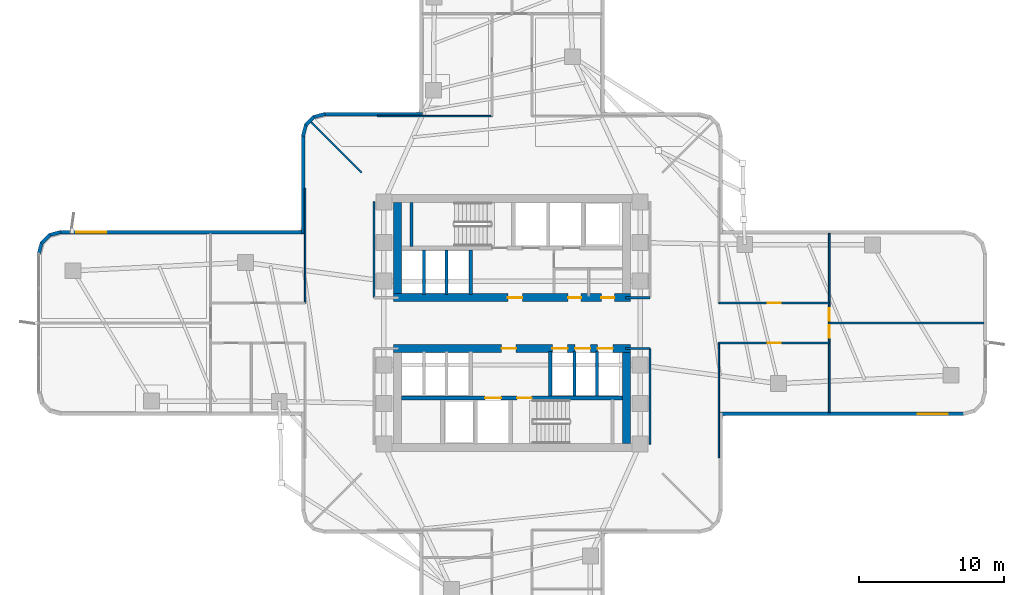
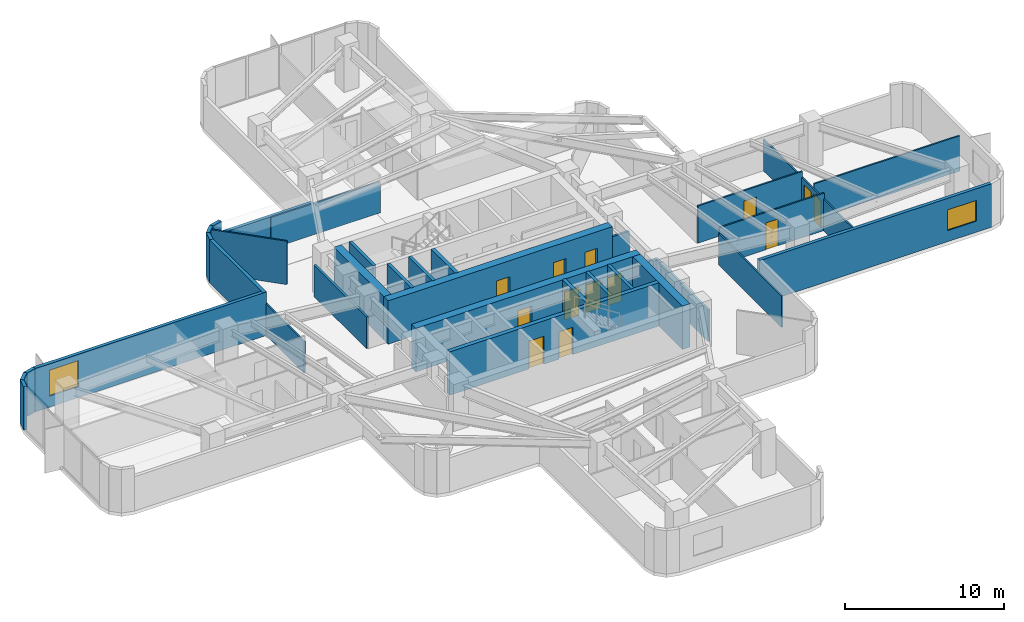
# One storey, part 9 of 14: 34 walls, 13 doors, 2 windows, 15 openings.
"""IFC4 building model written with IfcOpenShell, lengths in metres."""

from ifc_helpers import new_model, si_unit, direction, frame, frame_2d, origin, place, context, subcontext, project, spatial, rectangle, extrude, material, layer, layer_set, type_object, element, fill, save


model = new_model("IFC4")

# Units and contexts
model_context = context("Model", 3, precision=1e-05, world=origin(), true_north=direction((0.0, 1.0)))
body_context = subcontext(model_context, "Body", "Model", "MODEL_VIEW")
ifc_project = project(units=[si_unit("LENGTHUNIT", "METRE"), si_unit("AREAUNIT", "SQUARE_METRE"), si_unit("VOLUMEUNIT", "CUBIC_METRE"), si_unit("PLANEANGLEUNIT", "RADIAN"), si_unit("MASSUNIT", "GRAM", prefix="KILO")], contexts=[model_context])

# Site, building, storey
site_placement = place(None, origin())
site = spatial("IfcSite", under=ifc_project, at=site_placement, CompositionType="ELEMENT")
building_placement = place(site_placement, origin())
building = spatial("IfcBuilding", under=site, at=building_placement, Name="Solmarez Civic Tower", CompositionType="ELEMENT")
storey_placement = place(building_placement, frame((0.0, 0.0, 31.679931640625)))
storey = spatial("IfcBuildingStorey", under=building, at=storey_placement, Name="L07", CompositionType="ELEMENT", Elevation=31.679931640625)

# Wall, openings, doors
ifc_material_1 = material(Name="Concrete C60/75", Category="concrete")
ifc_layer_1 = layer(ifc_material_1, 0.550048828125)
ifc_layer_set_1 = layer_set([ifc_layer_1], Name="Concrete C60/75")
wall_type_1 = type_object("IfcWallType", Name="WALL-CORE-550", PredefinedType="SHEAR", material=ifc_layer_set_1)
wall_1_placement = place(storey_placement, frame((8.169921875, 1.75, 0.0), z_axis=(0.0, 0.0, 1.0), x_axis=(-1.0, 0.0, 0.0)))
wall_1 = element("IfcWall", 1, at=wall_1_placement, inside=storey, type_object=wall_type_1, Name="L07 Split-Core Structural Wall NCW-S-L07", PredefinedType="SHEAR", context=body_context, shape_type="SweptSolid", body=[
    extrude(rectangle(XDim=16.33984375, YDim=0.550048828125, at=frame_2d((8.169921875, 0.0))), origin(), (0.0, 0.0, 1.0), 3.340087890625),
])
opening_1_placement = place(wall_1_placement, frame((7.449951171875, 0.0, 0.0)))
opening_1 = element("IfcOpeningElement", 2, at=opening_1_placement, cuts=wall_1, Name="Opening D-04", PredefinedType="OPENING", context=body_context, shape_type="SweptSolid", body=[
    extrude(rectangle(XDim=1.0, YDim=2.10009765625, at=frame_2d((0.5, 1.050048828125))), frame((0.0, 0.284912109375, 0.0), z_axis=(0.0, -1.0, 0.0), x_axis=(1.0, 0.0, 0.0)), (0.0, 0.0, 1.0), 0.570068359375),
])
opening_2_placement = place(wall_1_placement, frame((3.39990234375, 0.0, 0.0)))
opening_2 = element("IfcOpeningElement", 3, at=opening_2_placement, cuts=wall_1, Name="Opening D-09", PredefinedType="OPENING", context=body_context, shape_type="SweptSolid", body=[
    extrude(rectangle(XDim=0.89990234375, YDim=2.06005859375, at=frame_2d((0.449951171875, 1.030029296875))), frame((0.0, 0.284912109375, 0.0), z_axis=(0.0, -1.0, 0.0), x_axis=(1.0, 0.0, 0.0)), (0.0, 0.0, 1.0), 0.570068359375),
])
opening_3_placement = place(wall_1_placement, frame((1.10009765625, 0.0, 0.0)))
opening_3 = element("IfcOpeningElement", 4, at=opening_3_placement, cuts=wall_1, Name="Opening D-09", PredefinedType="OPENING", context=body_context, shape_type="SweptSolid", body=[
    extrude(rectangle(XDim=0.89990234375, YDim=2.06005859375, at=frame_2d((0.449951171875, 1.030029296875))), frame((0.0, 0.284912109375, 0.0), z_axis=(0.0, -1.0, 0.0), x_axis=(1.0, 0.0, 0.0)), (0.0, 0.0, 1.0), 0.570068359375),
])
ifc_material_2 = material(Name="Steel-Faced Acoustic Fire Door", Category="steel")
door_type_1 = type_object("IfcDoorType", Name="DOOR-FD60-1000", OperationType="NOTDEFINED", PredefinedType="DOOR", material=ifc_material_2)
door_1_placement = place(opening_1_placement, origin())
door_1 = element("IfcDoor", 5, at=door_1_placement, inside=storey, type_object=door_type_1, Name="L07 North Firefighting Lobby Door", OperationType="SINGLE_SWING_RIGHT", OverallHeight=2.10009765625, OverallWidth=1.0, PredefinedType="DOOR", context=body_context, shape_type="SweptSolid", body=[
    extrude(rectangle(XDim=1.0, YDim=2.10009765625, at=frame_2d((0.5, 1.050048828125))), frame((0.0, 0.02490234375, 0.0), z_axis=(0.0, -1.0, 0.0), x_axis=(1.0, 0.0, 0.0)), (0.0, 0.0, 1.0), 0.050048828125),
])
fill(opening_1, door_1)
ifc_material_3 = material(Name="Fire-Rated Service Core Door", Category="wood")
door_type_2 = type_object("IfcDoorType", Name="DOOR-FD60-900", OperationType="NOTDEFINED", PredefinedType="DOOR", material=ifc_material_3)
door_2_placement = place(opening_2_placement, origin())
door_2 = element("IfcDoor", 6, at=door_2_placement, inside=storey, type_object=door_type_2, Name="L07 Core WC Door", OperationType="SINGLE_SWING_LEFT", OverallHeight=2.06005859375, OverallWidth=0.89990234375, PredefinedType="DOOR", context=body_context, shape_type="SweptSolid", body=[
    extrude(rectangle(XDim=0.89990234375, YDim=2.06005859375, at=frame_2d((0.449951171875, 1.030029296875))), frame((0.0, 0.02490234375, 0.0), z_axis=(0.0, -1.0, 0.0), x_axis=(1.0, 0.0, 0.0)), (0.0, 0.0, 1.0), 0.050048828125),
])
fill(opening_2, door_2)
door_3_placement = place(opening_3_placement, origin())
door_3 = element("IfcDoor", 7, at=door_3_placement, inside=storey, type_object=door_type_2, Name="L07 Core CL Door", OperationType="SINGLE_SWING_RIGHT", OverallHeight=2.06005859375, OverallWidth=0.89990234375, PredefinedType="DOOR", context=body_context, shape_type="SweptSolid", body=[
    extrude(rectangle(XDim=0.89990234375, YDim=2.06005859375, at=frame_2d((0.449951171875, 1.030029296875))), frame((0.0, 0.02490234375, 0.0), z_axis=(0.0, -1.0, 0.0), x_axis=(1.0, 0.0, 0.0)), (0.0, 0.0, 1.0), 0.050048828125),
])
fill(opening_3, door_3)

# Wall
wall_2_placement = place(storey_placement, frame((-7.89501953125, 2.02490234375, 0.0), z_axis=(0.0, 0.0, 1.0), x_axis=(0.0, 1.0, 0.0)))
element("IfcWall", 8, at=wall_2_placement, inside=storey, type_object=wall_type_1, Name="L07 Split-Core Structural Wall NCW-W-L07", PredefinedType="SHEAR", context=body_context, shape_type="SweptSolid", body=[
    extrude(rectangle(XDim=6.28515625, YDim=0.550048828125, at=frame_2d((3.142578125, 0.0))), origin(), (0.0, 0.0, 1.0), 3.340087890625),
])

# Wall, openings, doors
wall_3_placement = place(storey_placement, frame((-8.169921875, -1.75, 0.0), z_axis=(0.0, 0.0, 1.0), x_axis=(1.0, 0.0, 0.0)))
wall_3 = element("IfcWall", 9, at=wall_3_placement, inside=storey, type_object=wall_type_1, Name="L07 Split-Core Structural Wall SCW-N-L07", PredefinedType="SHEAR", context=body_context, shape_type="SweptSolid", body=[
    extrude(rectangle(XDim=16.33984375, YDim=0.550048828125, at=frame_2d((8.169921875, 0.0))), origin(), (0.0, 0.0, 1.0), 3.340087890625),
])
opening_4_placement = place(wall_3_placement, frame((7.449951171875, 0.0, 0.0)))
opening_4 = element("IfcOpeningElement", 10, at=opening_4_placement, cuts=wall_3, Name="Opening D-04", PredefinedType="OPENING", context=body_context, shape_type="SweptSolid", body=[
    extrude(rectangle(XDim=1.0, YDim=2.10009765625, at=frame_2d((0.5, 1.050048828125))), frame((0.0, 0.284912109375, 0.0), z_axis=(0.0, -1.0, 0.0), x_axis=(1.0, 0.0, 0.0)), (0.0, 0.0, 1.0), 0.570068359375),
])
opening_5_placement = place(wall_3_placement, frame((10.965087890625, 0.0, 0.0)))
opening_5 = element("IfcOpeningElement", 11, at=opening_5_placement, cuts=wall_3, Name="Opening LD-01", PredefinedType="OPENING", context=body_context, shape_type="SweptSolid", body=[
    extrude(rectangle(XDim=1.050048828125, YDim=2.14990234375, at=frame_2d((0.52490234375, 1.074951171875))), frame((0.0, 0.284912109375, 0.0), z_axis=(0.0, -1.0, 0.0), x_axis=(1.0, 0.0, 0.0)), (0.0, 0.0, 1.0), 0.570068359375),
])
opening_6_placement = place(wall_3_placement, frame((12.52490234375, 0.0, 0.0)))
opening_6 = element("IfcOpeningElement", 12, at=opening_6_placement, cuts=wall_3, Name="Opening LD-01", PredefinedType="OPENING", context=body_context, shape_type="SweptSolid", body=[
    extrude(rectangle(XDim=1.050048828125, YDim=2.14990234375, at=frame_2d((0.52490234375, 1.074951171875))), frame((0.0, 0.284912109375, 0.0), z_axis=(0.0, -1.0, 0.0), x_axis=(1.0, 0.0, 0.0)), (0.0, 0.0, 1.0), 0.570068359375),
])
opening_7_placement = place(wall_3_placement, frame((14.0849609375, 0.0, 0.0)))
opening_7 = element("IfcOpeningElement", 13, at=opening_7_placement, cuts=wall_3, Name="Opening LD-01", PredefinedType="OPENING", context=body_context, shape_type="SweptSolid", body=[
    extrude(rectangle(XDim=1.050048828125, YDim=2.14990234375, at=frame_2d((0.52490234375, 1.074951171875))), frame((0.0, 0.284912109375, 0.0), z_axis=(0.0, -1.0, 0.0), x_axis=(1.0, 0.0, 0.0)), (0.0, 0.0, 1.0), 0.570068359375),
])
door_4_placement = place(opening_4_placement, origin())
door_4 = element("IfcDoor", 14, at=door_4_placement, inside=storey, type_object=door_type_1, Name="L07 South Firefighting Lobby Door", OperationType="SINGLE_SWING_LEFT", OverallHeight=2.10009765625, OverallWidth=1.0, PredefinedType="DOOR", context=body_context, shape_type="SweptSolid", body=[
    extrude(rectangle(XDim=1.0, YDim=2.10009765625, at=frame_2d((0.5, 1.050048828125))), frame((0.0, 0.02490234375, 0.0), z_axis=(0.0, -1.0, 0.0), x_axis=(1.0, 0.0, 0.0)), (0.0, 0.0, 1.0), 0.050048828125),
])
fill(opening_4, door_4)
ifc_material_4 = material(Name="Bronze Passenger Lift Landing Sliding Door", Category="aluminium")
door_type_3 = type_object("IfcDoorType", Name="DOOR-LD-PAX-1050", OperationType="DOUBLE_DOOR_SLIDING", PredefinedType="DOOR", material=ifc_material_4)
door_5_placement = place(opening_5_placement, origin())
door_5 = element("IfcDoor", 15, at=door_5_placement, inside=storey, type_object=door_type_3, Name="L07 Low-Rise Lift Landing Door PL-L1", OperationType="DOUBLE_DOOR_SLIDING", OverallHeight=2.14990234375, OverallWidth=1.050048828125, PredefinedType="DOOR", context=body_context, shape_type="SweptSolid", body=[
    extrude(rectangle(XDim=1.050048828125, YDim=2.14990234375, at=frame_2d((0.52490234375, 1.074951171875))), frame((0.0, 0.02490234375, 0.0), z_axis=(0.0, -1.0, 0.0), x_axis=(1.0, 0.0, 0.0)), (0.0, 0.0, 1.0), 0.050048828125),
])
fill(opening_5, door_5)
door_6_placement = place(opening_6_placement, origin())
door_6 = element("IfcDoor", 16, at=door_6_placement, inside=storey, type_object=door_type_3, Name="L07 Low-Rise Lift Landing Door PL-L2", OperationType="DOUBLE_DOOR_SLIDING", OverallHeight=2.14990234375, OverallWidth=1.050048828125, PredefinedType="DOOR", context=body_context, shape_type="SweptSolid", body=[
    extrude(rectangle(XDim=1.050048828125, YDim=2.14990234375, at=frame_2d((0.52490234375, 1.074951171875))), frame((0.0, 0.02490234375, 0.0), z_axis=(0.0, -1.0, 0.0), x_axis=(1.0, 0.0, 0.0)), (0.0, 0.0, 1.0), 0.050048828125),
])
fill(opening_6, door_6)
door_7_placement = place(opening_7_placement, origin())
door_7 = element("IfcDoor", 17, at=door_7_placement, inside=storey, type_object=door_type_3, Name="L07 Low-Rise Lift Landing Door PL-L3", OperationType="DOUBLE_DOOR_SLIDING", OverallHeight=2.14990234375, OverallWidth=1.050048828125, PredefinedType="DOOR", context=body_context, shape_type="SweptSolid", body=[
    extrude(rectangle(XDim=1.050048828125, YDim=2.14990234375, at=frame_2d((0.52490234375, 1.074951171875))), frame((0.0, 0.02490234375, 0.0), z_axis=(0.0, -1.0, 0.0), x_axis=(1.0, 0.0, 0.0)), (0.0, 0.0, 1.0), 0.050048828125),
])
fill(opening_7, door_7)

# Walls
wall_4_placement = place(storey_placement, frame((7.89501953125, -2.02490234375, 0.0), z_axis=(0.0, 0.0, 1.0), x_axis=(0.0, -1.0, 0.0)))
element("IfcWall", 18, at=wall_4_placement, inside=storey, type_object=wall_type_1, Name="L07 Split-Core Structural Wall SCW-E-L07", PredefinedType="SHEAR", context=body_context, shape_type="SweptSolid", body=[
    extrude(rectangle(XDim=6.28515625, YDim=0.550048828125, at=frame_2d((3.142578125, 0.0))), origin(), (0.0, 0.0, 1.0), 3.340087890625),
])
ifc_material_5 = material(Name="Precast concrete C40/50", Category="concrete")
ifc_layer_2 = layer(ifc_material_5, 0.239990234375)
ifc_layer_set_2 = layer_set([ifc_layer_2], Name="Precast concrete C40/50")
wall_type_2 = type_object("IfcWallType", Name="WALL-EXT-240", PredefinedType="SOLIDWALL", material=ifc_layer_set_2)
wall_5_placement = place(storey_placement, frame((-32.68603515625, 4.760009765625, 0.0), z_axis=(0.0, 0.0, 1.0), x_axis=(0.257937227116, 0.966161677396, 0.0)))
element("IfcWall", 19, at=wall_5_placement, inside=storey, type_object=wall_type_2, Name="L07 Exterior Precast Wall 7", PredefinedType="SOLIDWALL", context=body_context, shape_type="SweptSolid", body=[
    extrude(rectangle(XDim=0.830078125, YDim=0.239990234375, at=frame_2d((0.4150390625, 0.0))), origin(), (0.0, 0.0, 1.0), 3.340087890625),
])
wall_6_placement = place(storey_placement, frame((-32.49609375, 5.52001953125, 0.0), z_axis=(0.0, 0.0, 1.0), x_axis=(0.707256607812, 0.706956922808, 0.0)))
element("IfcWall", 20, at=wall_6_placement, inside=storey, type_object=wall_type_2, Name="L07 Exterior Precast Wall 8", PredefinedType="SOLIDWALL", context=body_context, shape_type="SweptSolid", body=[
    extrude(rectangle(XDim=0.814697265625, YDim=0.239990234375, at=frame_2d((0.4072265625, 0.0))), origin(), (0.0, 0.0, 1.0), 3.340087890625),
])
wall_7_placement = place(storey_placement, frame((-31.9619140625, 6.072021484375, 0.0), z_axis=(0.0, 0.0, 1.0), x_axis=(0.966234939601, 0.25766265056, 0.0)))
element("IfcWall", 21, at=wall_7_placement, inside=storey, type_object=wall_type_2, Name="L07 Exterior Precast Wall 9", PredefinedType="SOLIDWALL", context=body_context, shape_type="SweptSolid", body=[
    extrude(rectangle(XDim=0.830078125, YDim=0.239990234375, at=frame_2d((0.4150390625, 0.0))), origin(), (0.0, 0.0, 1.0), 3.340087890625),
])

# Wall, opening, window
wall_8_placement = place(storey_placement, frame((-31.208984375, 6.280029296875, 0.0), z_axis=(0.0, 0.0, 1.0), x_axis=(1.0, 0.0, 0.0)))
wall_8 = element("IfcWall", 22, at=wall_8_placement, inside=storey, type_object=wall_type_2, Name="L07 Exterior Precast Wall 10", PredefinedType="SOLIDWALL", context=body_context, shape_type="SweptSolid", body=[
    extrude(rectangle(XDim=16.875, YDim=0.239990234375, at=frame_2d((8.4375, 0.0))), origin(), (0.0, 0.0, 1.0), 3.340087890625),
])
opening_8_placement = place(wall_8_placement, frame((1.10009765625, 0.0, 0.85009765625)))
opening_8 = element("IfcOpeningElement", 23, at=opening_8_placement, cuts=wall_8, Name="Opening W-03", PredefinedType="OPENING", context=body_context, shape_type="SweptSolid", body=[
    extrude(rectangle(XDim=2.10009765625, YDim=2.0, at=frame_2d((1.050048828125, 1.0))), frame((0.0, 0.1298828125, 0.0), z_axis=(0.0, -1.0, 0.0), x_axis=(1.0, 0.0, 0.0)), (0.0, 0.0, 1.0), 0.260009765625),
])
ifc_material_6 = material(Name="Solar Control Bronze-Tinted Insulating Glass", Category="glass")
window_type_1 = type_object("IfcWindowType", Name="WIN-2100X2000", PartitioningType="SINGLE_PANEL", PredefinedType="WINDOW", material=ifc_material_6)
window_1_placement = place(opening_8_placement, origin())
window_1 = element("IfcWindow", 24, at=window_1_placement, inside=storey, type_object=window_type_1, Name="L07 Exterior Facade Window 10", OverallHeight=2.0, OverallWidth=2.10009765625, PartitioningType="SINGLE_PANEL", PredefinedType="WINDOW", context=body_context, shape_type="SweptSolid", body=[
    extrude(rectangle(XDim=2.10009765625, YDim=2.0, at=frame_2d((1.050048828125, 1.0))), frame((0.0, 0.030029296875, 0.0), z_axis=(0.0, -1.0, 0.0), x_axis=(1.0, 0.0, 0.0)), (0.0, 0.0, 1.0), 0.06005859375),
])
fill(opening_8, window_1)

# Walls
wall_9_placement = place(storey_placement, frame((-14.429931640625, 6.18408203125, 0.0), z_axis=(0.0, 0.0, 1.0), x_axis=(0.0, 1.0, 0.0)))
element("IfcWall", 25, at=wall_9_placement, inside=storey, type_object=wall_type_2, Name="L07 Exterior Precast Wall 13", PredefinedType="SOLIDWALL", context=body_context, shape_type="SweptSolid", body=[
    extrude(rectangle(XDim=6.77490234375, YDim=0.239990234375, at=frame_2d((3.387451171875, 0.0))), origin(), (0.0, 0.0, 1.0), 3.340087890625),
])
wall_10_placement = place(storey_placement, frame((-14.43603515625, 12.909912109375, 0.0), z_axis=(0.0, 0.0, 1.0), x_axis=(0.257937227116, 0.966161677396, 0.0)))
element("IfcWall", 26, at=wall_10_placement, inside=storey, type_object=wall_type_2, Name="L07 Exterior Precast Wall 14", PredefinedType="SOLIDWALL", context=body_context, shape_type="SweptSolid", body=[
    extrude(rectangle(XDim=0.830078125, YDim=0.239990234375, at=frame_2d((0.4150390625, 0.0))), origin(), (0.0, 0.0, 1.0), 3.340087890625),
])
wall_11_placement = place(storey_placement, frame((-14.24609375, 13.669921875, 0.0), z_axis=(0.0, 0.0, 1.0), x_axis=(0.707106781187, 0.707106781187, 0.0)))
element("IfcWall", 27, at=wall_11_placement, inside=storey, type_object=wall_type_2, Name="L07 Exterior Precast Wall 15", PredefinedType="SOLIDWALL", context=body_context, shape_type="SweptSolid", body=[
    extrude(rectangle(XDim=0.81494140625, YDim=0.239990234375, at=frame_2d((0.407470703125, 0.0))), origin(), (0.0, 0.0, 1.0), 3.340087890625),
])
wall_12_placement = place(storey_placement, frame((-13.7119140625, 14.221923828125, 0.0), z_axis=(0.0, 0.0, 1.0), x_axis=(0.966161677396, 0.257937227116, 0.0)))
element("IfcWall", 28, at=wall_12_placement, inside=storey, type_object=wall_type_2, Name="L07 Exterior Precast Wall 16", PredefinedType="SOLIDWALL", context=body_context, shape_type="SweptSolid", body=[
    extrude(rectangle(XDim=0.830078125, YDim=0.239990234375, at=frame_2d((0.4150390625, 0.0))), origin(), (0.0, 0.0, 1.0), 3.340087890625),
])
wall_13_placement = place(storey_placement, frame((-12.958984375, 14.429931640625, 0.0), z_axis=(0.0, 0.0, 1.0), x_axis=(1.0, 0.0, 0.0)))
element("IfcWall", 29, at=wall_13_placement, inside=storey, type_object=wall_type_2, Name="L07 Exterior Precast Wall 17", PredefinedType="SOLIDWALL", context=body_context, shape_type="SweptSolid", body=[
    extrude(rectangle(XDim=6.77490234375, YDim=0.239990234375, at=frame_2d((3.387451171875, 0.0))), origin(), (0.0, 0.0, 1.0), 2.421142578125),
])

# Wall, opening, window
wall_14_placement = place(storey_placement, frame((31.208984375, -6.280029296875, 0.0), z_axis=(0.0, 0.0, 1.0), x_axis=(-1.0, 0.0, 0.0)))
wall_14 = element("IfcWall", 30, at=wall_14_placement, inside=storey, type_object=wall_type_2, Name="L07 Exterior Precast Wall 46", PredefinedType="SOLIDWALL", context=body_context, shape_type="SweptSolid", body=[
    extrude(rectangle(XDim=16.875, YDim=0.239990234375, at=frame_2d((8.4375, 0.0))), origin(), (0.0, 0.0, 1.0), 3.340087890625),
])
opening_9_placement = place(wall_14_placement, frame((1.10009765625, 0.0, 0.85009765625)))
opening_9 = element("IfcOpeningElement", 31, at=opening_9_placement, cuts=wall_14, Name="Opening W-11", PredefinedType="OPENING", context=body_context, shape_type="SweptSolid", body=[
    extrude(rectangle(XDim=2.10009765625, YDim=1.60009765625, at=frame_2d((1.050048828125, 0.800048828125))), frame((0.0, 0.1298828125, 0.0), z_axis=(0.0, -1.0, 0.0), x_axis=(1.0, 0.0, 0.0)), (0.0, 0.0, 1.0), 0.260009765625),
])
window_type_2 = type_object("IfcWindowType", Name="WIN-2100X1600", PartitioningType="SINGLE_PANEL", PredefinedType="WINDOW", material=ifc_material_6)
window_2_placement = place(opening_9_placement, origin())
window_2 = element("IfcWindow", 32, at=window_2_placement, inside=storey, type_object=window_type_2, Name="L07 Exterior Facade Window 46", OverallHeight=1.60009765625, OverallWidth=2.10009765625, PartitioningType="SINGLE_PANEL", PredefinedType="WINDOW", context=body_context, shape_type="SweptSolid", body=[
    extrude(rectangle(XDim=2.10009765625, YDim=1.60009765625, at=frame_2d((1.050048828125, 0.800048828125))), frame((0.0, 0.030029296875, 0.0), z_axis=(0.0, -1.0, 0.0), x_axis=(1.0, 0.0, 0.0)), (0.0, 0.0, 1.0), 0.06005859375),
])
fill(opening_9, window_2)

# Walls
ifc_material_7 = material(Name="Gypsum Board Acoustic Steel-Stud Partition", Category="steel")
ifc_layer_3 = layer(ifc_material_7, 0.14990234375)
ifc_layer_set_3 = layer_set([ifc_layer_3], Name="Gypsum Board Acoustic Steel-Stud Partition")
wall_type_3 = type_object("IfcWallType", Name="WALL-INT-FIRE-150", PredefinedType="PARTITIONING", material=ifc_layer_set_3)
wall_15_placement = place(storey_placement, frame((-9.52001953125, 1.75, 0.0), z_axis=(0.0, 0.0, 1.0), x_axis=(0.0, 1.0, 0.0)))
element("IfcWall", 33, at=wall_15_placement, inside=storey, type_object=wall_type_3, Name="L07 Interior Partition CHW-L07-WN1", PredefinedType="PARTITIONING", context=body_context, shape_type="SweptSolid", body=[
    extrude(rectangle(XDim=6.6298828125, YDim=0.14990234375, at=frame_2d((3.31494140625, 0.0))), origin(), (0.0, 0.0, 1.0), 2.421142578125),
])
wall_16_placement = place(storey_placement, frame((7.85009765625, 1.75, 0.0), z_axis=(0.0, 0.0, 1.0), x_axis=(1.0, 0.0, 0.0)))
element("IfcWall", 34, at=wall_16_placement, inside=storey, type_object=wall_type_3, Name="L07 Interior Partition CHW-L07-EN3", PredefinedType="PARTITIONING", context=body_context, shape_type="SweptSolid", body=[
    extrude(rectangle(XDim=1.669921875, YDim=0.14990234375, at=frame_2d((0.8349609375, 0.0))), origin(), (0.0, 0.0, 1.0), 2.405029296875),
])
wall_17_placement = place(storey_placement, frame((9.52001953125, -8.3798828125, 0.0), z_axis=(0.0, 0.0, 1.0), x_axis=(0.0, 1.0, 0.0)))
element("IfcWall", 35, at=wall_17_placement, inside=storey, type_object=wall_type_3, Name="L07 Interior Partition CHW-L07-ES1", PredefinedType="PARTITIONING", context=body_context, shape_type="SweptSolid", body=[
    extrude(rectangle(XDim=6.6298828125, YDim=0.14990234375, at=frame_2d((3.31494140625, 0.0))), origin(), (0.0, 0.0, 1.0), 2.421142578125),
])
wall_18_placement = place(storey_placement, frame((7.85009765625, -1.75, 0.0), z_axis=(0.0, 0.0, 1.0), x_axis=(1.0, 0.0, 0.0)))
element("IfcWall", 36, at=wall_18_placement, inside=storey, type_object=wall_type_3, Name="L07 Interior Partition CHW-L07-ES3", PredefinedType="PARTITIONING", context=body_context, shape_type="SweptSolid", body=[
    extrude(rectangle(XDim=1.669921875, YDim=0.14990234375, at=frame_2d((0.8349609375, 0.0))), origin(), (0.0, 0.0, 1.0), 2.405029296875),
])
ifc_layer_4 = layer(ifc_material_7, 0.110107421875)
ifc_layer_set_4 = layer_set([ifc_layer_4], Name="Gypsum Board Acoustic Steel-Stud Partition")
wall_type_4 = type_object("IfcWallType", Name="WALL-INT-PART-110", PredefinedType="PARTITIONING", material=ifc_layer_set_4)
wall_19_placement = place(storey_placement, frame((-10.3798828125, 10.3798828125, 0.0), z_axis=(0.0, 0.0, 1.0), x_axis=(-0.707106781187, 0.707106781187, 0.0)))
element("IfcWall", 37, at=wall_19_placement, inside=storey, type_object=wall_type_4, Name="L07 Interior Partition PT-L07-QDIV-2", PredefinedType="PARTITIONING", context=body_context, shape_type="SweptSolid", body=[
    extrude(rectangle(XDim=4.975341796875, YDim=0.110107421875, at=frame_2d((2.48779296875, 0.0))), origin(), (0.0, 0.0, 1.0), 3.340087890625),
])
wall_20_placement = place(storey_placement, frame((14.2900390625, -9.320068359375, 0.0), z_axis=(0.0, 0.0, 1.0), x_axis=(0.0, 1.0, 0.0)))
element("IfcWall", 38, at=wall_20_placement, inside=storey, type_object=wall_type_4, Name="L07 Interior Partition PT-L07-E-EFR", PredefinedType="PARTITIONING", context=body_context, shape_type="SweptSolid", body=[
    extrude(rectangle(XDim=7.949951171875, YDim=0.110107421875, at=frame_2d((3.97509765625, 0.0))), origin(), (0.0, 0.0, 1.0), 2.421142578125),
])

# Wall, opening, door
wall_21_placement = place(storey_placement, frame((21.909912109375, 1.3798828125, 0.0), z_axis=(0.0, 0.0, 1.0), x_axis=(-1.0, 0.0, 0.0)))
wall_21 = element("IfcWall", 39, at=wall_21_placement, inside=storey, type_object=wall_type_4, Name="L07 Interior Partition PT-L07-E-SL", PredefinedType="PARTITIONING", context=body_context, shape_type="SweptSolid", body=[
    extrude(rectangle(XDim=7.619873046875, YDim=0.110107421875, at=frame_2d((3.81005859375, 0.0))), origin(), (0.0, 0.0, 1.0), 2.869140625),
])
opening_10_placement = place(wall_21_placement, frame((3.360107421875, 0.0, 0.0)))
opening_10 = element("IfcOpeningElement", 40, at=opening_10_placement, cuts=wall_21, Name="Opening D-08", PredefinedType="OPENING", context=body_context, shape_type="SweptSolid", body=[
    extrude(rectangle(XDim=0.89990234375, YDim=2.06005859375, at=frame_2d((0.449951171875, 1.030029296875))), frame((0.0, 0.06494140625, 0.0), z_axis=(0.0, -1.0, 0.0), x_axis=(1.0, 0.0, 0.0)), (0.0, 0.0, 1.0), 0.130126953125),
])
ifc_material_8 = material(Name="Solid-Core Timber Office Door", Category="wood")
door_type_4 = type_object("IfcDoorType", Name="DOOR-INT-900", OperationType="NOTDEFINED", PredefinedType="DOOR", material=ifc_material_8)
door_8_placement = place(opening_10_placement, origin())
door_8 = element("IfcDoor", 41, at=door_8_placement, inside=storey, type_object=door_type_4, Name="L07 Ministry Open Workspace East Door", OperationType="SINGLE_SWING_LEFT", OverallHeight=2.06005859375, OverallWidth=0.89990234375, PredefinedType="DOOR", context=body_context, shape_type="SweptSolid", body=[
    extrude(rectangle(XDim=0.89990234375, YDim=2.06005859375, at=frame_2d((0.449951171875, 1.030029296875))), frame((0.0, 0.02490234375, 0.0), z_axis=(0.0, -1.0, 0.0), x_axis=(1.0, 0.0, 0.0)), (0.0, 0.0, 1.0), 0.050048828125),
])
fill(opening_10, door_8)

wall_22_placement = place(storey_placement, frame((14.2900390625, -1.3798828125, 0.0), z_axis=(0.0, 0.0, 1.0), x_axis=(1.0, 0.0, 0.0)))
wall_22 = element("IfcWall", 42, at=wall_22_placement, inside=storey, type_object=wall_type_4, Name="L07 Interior Partition PT-L07-E-SR", PredefinedType="PARTITIONING", context=body_context, shape_type="SweptSolid", body=[
    extrude(rectangle(XDim=7.619873046875, YDim=0.110107421875, at=frame_2d((3.81005859375, 0.0))), origin(), (0.0, 0.0, 1.0), 2.869140625),
])
opening_11_placement = place(wall_22_placement, frame((3.360107421875, 0.0, 0.0)))
opening_11 = element("IfcOpeningElement", 43, at=opening_11_placement, cuts=wall_22, Name="Opening D-08", PredefinedType="OPENING", context=body_context, shape_type="SweptSolid", body=[
    extrude(rectangle(XDim=0.89990234375, YDim=2.06005859375, at=frame_2d((0.449951171875, 1.030029296875))), frame((0.0, 0.06494140625, 0.0), z_axis=(0.0, -1.0, 0.0), x_axis=(1.0, 0.0, 0.0)), (0.0, 0.0, 1.0), 0.130126953125),
])
door_9_placement = place(opening_11_placement, origin())
door_9 = element("IfcDoor", 44, at=door_9_placement, inside=storey, type_object=door_type_4, Name="L07 Directorate Office East Door", OperationType="SINGLE_SWING_RIGHT", OverallHeight=2.06005859375, OverallWidth=0.89990234375, PredefinedType="DOOR", context=body_context, shape_type="SweptSolid", body=[
    extrude(rectangle(XDim=0.89990234375, YDim=2.06005859375, at=frame_2d((0.449951171875, 1.030029296875))), frame((0.0, 0.02490234375, 0.0), z_axis=(0.0, -1.0, 0.0), x_axis=(1.0, 0.0, 0.0)), (0.0, 0.0, 1.0), 0.050048828125),
])
fill(opening_11, door_9)

# Wall
wall_23_placement = place(storey_placement, frame((21.969970703125, 0.0, 0.0), z_axis=(0.0, 0.0, 1.0), x_axis=(1.0, 0.0, 0.0)))
element("IfcWall", 45, at=wall_23_placement, inside=storey, type_object=wall_type_4, Name="L07 Interior Partition PT-L07-E-TM", PredefinedType="PARTITIONING", context=body_context, shape_type="SweptSolid", body=[
    extrude(rectangle(XDim=10.625, YDim=0.110107421875, at=frame_2d((5.3125, 0.0))), origin(), (0.0, 0.0, 1.0), 2.719970703125),
])

# Wall, openings, doors
wall_24_placement = place(storey_placement, frame((21.909912109375, 6.195068359375, 0.0), z_axis=(0.0, 0.0, 1.0), x_axis=(0.0, -1.0, 0.0)))
wall_24 = element("IfcWall", 46, at=wall_24_placement, inside=storey, type_object=wall_type_4, Name="L07 Interior Partition PT-L07-E-END", PredefinedType="PARTITIONING", context=body_context, shape_type="SweptSolid", body=[
    extrude(rectangle(XDim=12.39013671875, YDim=0.110107421875, at=frame_2d((6.195068359375, 0.0))), origin(), (0.0, 0.0, 1.0), 2.421142578125),
])
opening_12_placement = place(wall_24_placement, frame((6.364990234375, 0.0, 0.0)))
opening_12 = element("IfcOpeningElement", 47, at=opening_12_placement, cuts=wall_24, Name="Opening D-14", PredefinedType="OPENING", context=body_context, shape_type="SweptSolid", body=[
    extrude(rectangle(XDim=0.860107421875, YDim=2.0400390625, at=frame_2d((0.43017578125, 1.02001953125))), frame((0.0, 0.06494140625, 0.0), z_axis=(0.0, -1.0, 0.0), x_axis=(1.0, 0.0, 0.0)), (0.0, 0.0, 1.0), 0.130126953125),
])
opening_13_placement = place(wall_24_placement, frame((5.1650390625, 0.0, 0.0)))
opening_13 = element("IfcOpeningElement", 48, at=opening_13_placement, cuts=wall_24, Name="Opening D-14", PredefinedType="OPENING", context=body_context, shape_type="SweptSolid", body=[
    extrude(rectangle(XDim=0.860107421875, YDim=2.0400390625, at=frame_2d((0.43017578125, 1.02001953125))), frame((0.0, 0.06494140625, 0.0), z_axis=(0.0, -1.0, 0.0), x_axis=(1.0, 0.0, 0.0)), (0.0, 0.0, 1.0), 0.130126953125),
])
ifc_material_9 = material(Name="Timber Storage and Pantry Door", Category="wood")
door_type_5 = type_object("IfcDoorType", Name="DOOR-INT-850", OperationType="NOTDEFINED", PredefinedType="DOOR", material=ifc_material_9)
door_10_placement = place(opening_12_placement, origin())
door_10 = element("IfcDoor", 49, at=door_10_placement, inside=storey, type_object=door_type_5, Name="L07 Staff Pantry Sixth East Door", OperationType="SINGLE_SWING_RIGHT", OverallHeight=2.0400390625, OverallWidth=0.860107421875, PredefinedType="DOOR", context=body_context, shape_type="SweptSolid", body=[
    extrude(rectangle(XDim=0.860107421875, YDim=2.0400390625, at=frame_2d((0.43017578125, 1.02001953125))), frame((0.0, 0.02490234375, 0.0), z_axis=(0.0, -1.0, 0.0), x_axis=(1.0, 0.0, 0.0)), (0.0, 0.0, 1.0), 0.050048828125),
])
fill(opening_12, door_10)
door_11_placement = place(opening_13_placement, origin())
door_11 = element("IfcDoor", 50, at=door_11_placement, inside=storey, type_object=door_type_5, Name="L07 Policy Boardroom Fifth East Door", OperationType="SINGLE_SWING_LEFT", OverallHeight=2.0400390625, OverallWidth=0.860107421875, PredefinedType="DOOR", context=body_context, shape_type="SweptSolid", body=[
    extrude(rectangle(XDim=0.860107421875, YDim=2.0400390625, at=frame_2d((0.43017578125, 1.02001953125))), frame((0.0, 0.02490234375, 0.0), z_axis=(0.0, -1.0, 0.0), x_axis=(1.0, 0.0, 0.0)), (0.0, 0.0, 1.0), 0.050048828125),
])
fill(opening_13, door_11)

# Walls
for number, where, z_axis, x_axis, name in (
    (51, (-1.3701171875, 14.2900390625, 0.0), (0.0, 0.0, 1.0), (-1.0, 0.0, 0.0), "L07 Interior Partition PT-L07-N-EFL"),
    (52, (-14.2900390625, 9.320068359375, 0.0), (0.0, 0.0, 1.0), (0.0, -1.0, 0.0), "L07 Interior Partition PT-L07-W-EFR"),
):
    element("IfcWall", number, at=place(storey_placement, frame(where, z_axis=z_axis, x_axis=x_axis)), inside=storey, type_object=wall_type_4, Name=name, PredefinedType="PARTITIONING", context=body_context, shape_type="SweptSolid", body=[
        extrude(rectangle(XDim=7.949951171875, YDim=0.110107421875, at=frame_2d((3.97509765625, 0.0))), origin(), (0.0, 0.0, 1.0), 2.421142578125),
    ])

# Wall, openings, doors
ifc_material_10 = material(Name="Concrete C50/60", Category="concrete")
ifc_layer_5 = layer(ifc_material_10, 0.300048828125)
ifc_layer_set_5 = layer_set([ifc_layer_5], Name="Concrete C50/60")
wall_type_5 = type_object("IfcWallType", Name="WALL-STR-300", PredefinedType="SOLIDWALL", material=ifc_layer_set_5)
wall_25_placement = place(storey_placement, frame((-7.6201171875, -5.179931640625, 0.0), z_axis=(0.0, 0.0, 1.0), x_axis=(1.0, 0.0, 0.0)))
wall_25 = element("IfcWall", 53, at=wall_25_placement, inside=storey, type_object=wall_type_5, Name="L07 Split-Core Structural Wall SCW-M-L07", PredefinedType="SOLIDWALL", context=body_context, shape_type="SweptSolid", body=[
    extrude(rectangle(XDim=15.240234375, YDim=0.300048828125, at=frame_2d((7.6201171875, 0.0))), origin(), (0.0, 0.0, 1.0), 3.340087890625),
])
opening_14_placement = place(wall_25_placement, frame((5.77001953125, 0.0, 0.0)))
opening_14 = element("IfcOpeningElement", 54, at=opening_14_placement, cuts=wall_25, Name="Opening LD-02", PredefinedType="OPENING", context=body_context, shape_type="SweptSolid", body=[
    extrude(rectangle(XDim=1.10009765625, YDim=2.14990234375, at=frame_2d((0.550048828125, 1.074951171875))), frame((0.0, 0.159912109375, 0.0), z_axis=(0.0, -1.0, 0.0), x_axis=(1.0, 0.0, 0.0)), (0.0, 0.0, 1.0), 0.320068359375),
])
opening_15_placement = place(wall_25_placement, frame((7.969970703125, 0.0, 0.0)))
opening_15 = element("IfcOpeningElement", 55, at=opening_15_placement, cuts=wall_25, Name="Opening D-05", PredefinedType="OPENING", context=body_context, shape_type="SweptSolid", body=[
    extrude(rectangle(XDim=1.0, YDim=2.10009765625, at=frame_2d((0.5, 1.050048828125))), frame((0.0, 0.159912109375, 0.0), z_axis=(0.0, -1.0, 0.0), x_axis=(1.0, 0.0, 0.0)), (0.0, 0.0, 1.0), 0.320068359375),
])
ifc_material_11 = material(Name="Fire-Rated Stairwell Exit Door", Category="wood")
door_type_6 = type_object("IfcDoorType", Name="DOOR-FD90-1000", OperationType="NOTDEFINED", PredefinedType="DOOR", material=ifc_material_11)
door_12_placement = place(opening_15_placement, origin())
door_12 = element("IfcDoor", 56, at=door_12_placement, inside=storey, type_object=door_type_6, Name="L07 South Exit Stair Door ST-2", OperationType="SINGLE_SWING_LEFT", OverallHeight=2.10009765625, OverallWidth=1.0, PredefinedType="DOOR", context=body_context, shape_type="SweptSolid", body=[
    extrude(rectangle(XDim=1.0, YDim=2.10009765625, at=frame_2d((0.5, 1.050048828125))), frame((0.0, 0.02490234375, 0.0), z_axis=(0.0, -1.0, 0.0), x_axis=(1.0, 0.0, 0.0)), (0.0, 0.0, 1.0), 0.050048828125),
])
fill(opening_15, door_12)
ifc_material_12 = material(Name="Stainless Firefighting Lift Landing Sliding Door", Category="aluminium")
door_type_7 = type_object("IfcDoorType", Name="DOOR-LD-FF-1100", OperationType="DOUBLE_DOOR_SLIDING", PredefinedType="DOOR", material=ifc_material_12)
door_13_placement = place(opening_14_placement, origin())
door_13 = element("IfcDoor", 57, at=door_13_placement, inside=storey, type_object=door_type_7, Name="L07 Firefighting Lift Landing Door FFL-2", OperationType="DOUBLE_DOOR_SLIDING", OverallHeight=2.14990234375, OverallWidth=1.10009765625, PredefinedType="DOOR", context=body_context, shape_type="SweptSolid", body=[
    extrude(rectangle(XDim=1.10009765625, YDim=2.14990234375, at=frame_2d((0.550048828125, 1.074951171875))), frame((0.0, 0.02490234375, 0.0), z_axis=(0.0, -1.0, 0.0), x_axis=(1.0, 0.0, 0.0)), (0.0, 0.0, 1.0), 0.050048828125),
])
fill(opening_14, door_13)

# Walls
wall_26_placement = place(storey_placement, frame((-6.949951171875, 5.280029296875, 0.0), z_axis=(0.0, 0.0, 1.0), x_axis=(0.0, 1.0, 0.0)))
element("IfcWall", 58, at=wall_26_placement, inside=storey, type_object=wall_type_5, Name="L07 Split-Core Structural Wall SHW-NW-L07", PredefinedType="SOLIDWALL", context=body_context, shape_type="SweptSolid", body=[
    extrude(rectangle(XDim=3.06005859375, YDim=0.219970703125, at=frame_2d((1.530029296875, 0.0))), origin(), (0.0, 0.0, 1.0), 3.340087890625),
])
for number, where, z_axis, x_axis, name in (
    (59, (-2.85009765625, 1.97998046875, 0.0), (0.0, 0.0, 1.0), (0.0, 1.0, 0.0), "L07 Split-Core Structural Wall SHW-NL1-L07"),
    (60, (2.64990234375, -5.050048828125, 0.0), (0.0, 0.0, 1.0), (0.0, 1.0, 0.0), "L07 Split-Core Structural Wall SHW-SL2-L07"),
):
    element("IfcWall", number, at=place(storey_placement, frame(where, z_axis=z_axis, x_axis=x_axis)), inside=storey, type_object=wall_type_5, Name=name, PredefinedType="SOLIDWALL", context=body_context, shape_type="SweptSolid", body=[
        extrude(rectangle(XDim=3.070068359375, YDim=0.25, at=frame_2d((1.53515625, 0.0))), origin(), (0.0, 0.0, 1.0), 3.340087890625),
    ])
for number, where, z_axis, x_axis, name in (
    (61, (-6.080078125, 1.97998046875, 0.0), (0.0, 0.0, 1.0), (0.0, 1.0, 0.0), "L07 Split-Core Structural Wall SHW-PLH-L07-1"),
    (62, (-4.52001953125, 1.97998046875, 0.0), (0.0, 0.0, 1.0), (0.0, 1.0, 0.0), "L07 Split-Core Structural Wall SHW-PLH-L07-2"),
    (63, (4.320068359375, -5.050048828125, 0.0), (0.0, 0.0, 1.0), (0.0, 1.0, 0.0), "L07 Split-Core Structural Wall SHW-PLL-L07-1"),
    (64, (5.8798828125, -5.050048828125, 0.0), (0.0, 0.0, 1.0), (0.0, 1.0, 0.0), "L07 Split-Core Structural Wall SHW-PLL-L07-2"),
):
    element("IfcWall", number, at=place(storey_placement, frame(where, z_axis=z_axis, x_axis=x_axis)), inside=storey, type_object=wall_type_5, Name=name, PredefinedType="SOLIDWALL", context=body_context, shape_type="SweptSolid", body=[
        extrude(rectangle(XDim=3.070068359375, YDim=0.219970703125, at=frame_2d((1.53515625, 0.0))), origin(), (0.0, 0.0, 1.0), 3.340087890625),
    ])

save(model, "model.ifc")
